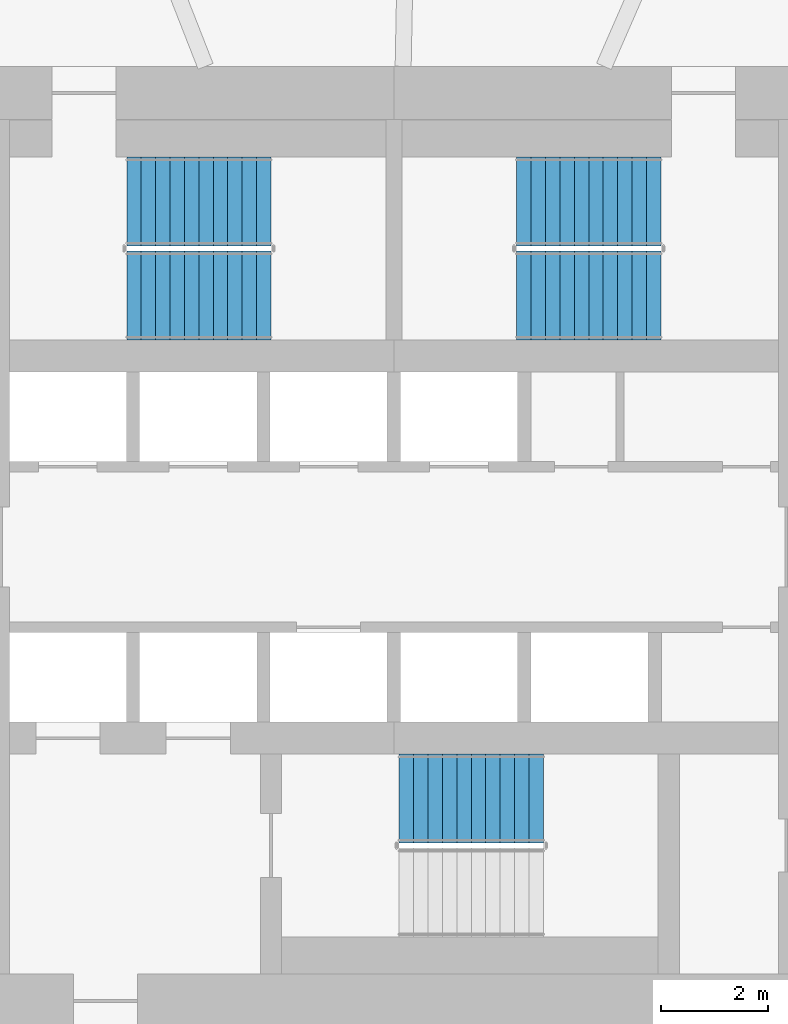
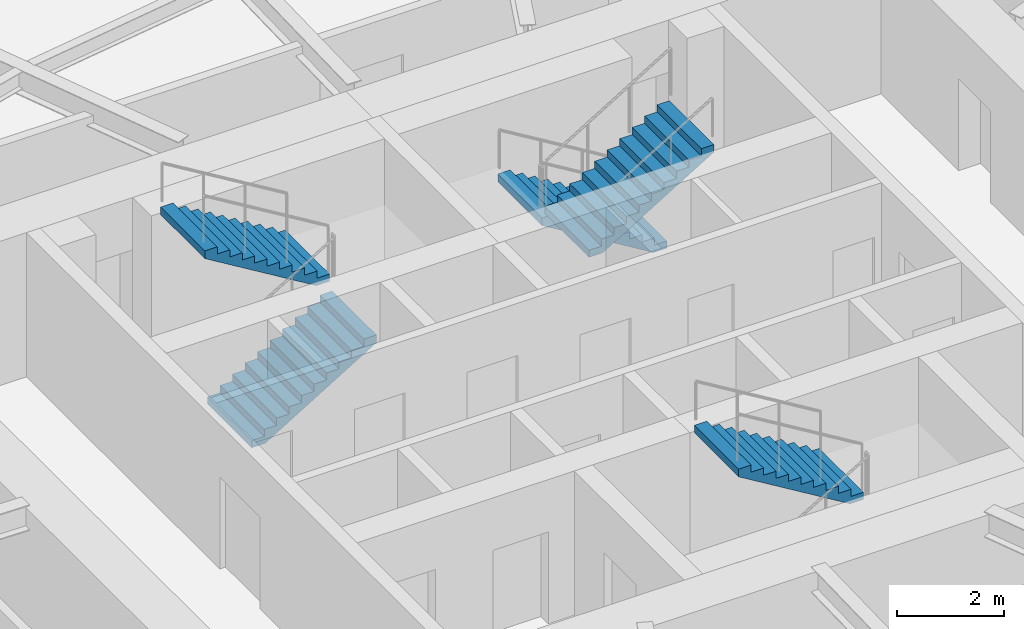
# One storey, part 11 of 14: 5 stair flights, 3 elements without a shape of their own.
"""IFC4 building model written with IfcOpenShell, lengths in metres."""

from ifc_helpers import new_model, si_unit, direction, frame, origin, place, context, subcontext, project, spatial, polyline, outline, extrude, material, type_object, element, aggregate, save


model = new_model("IFC4")

# Units and contexts
model_context = context("Model", 3, precision=1e-05, world=origin(), true_north=direction((0.0, 1.0)))
body_context = subcontext(model_context, "Body", "Model", "MODEL_VIEW")
ifc_project = project(units=[si_unit("LENGTHUNIT", "METRE"), si_unit("AREAUNIT", "SQUARE_METRE"), si_unit("VOLUMEUNIT", "CUBIC_METRE"), si_unit("PLANEANGLEUNIT", "RADIAN"), si_unit("MASSUNIT", "GRAM", prefix="KILO")], contexts=[model_context])

# Site, building, storey
site_placement = place(None, origin())
site = spatial("IfcSite", under=ifc_project, at=site_placement, CompositionType="ELEMENT")
building_placement = place(site_placement, origin())
building = spatial("IfcBuilding", under=site, at=building_placement, Name="Vermilion Reach Broadcast Tower", CompositionType="ELEMENT")
storey_placement = place(building_placement, frame((0.0, 0.0, 157.800048828125)))
storey = spatial("IfcBuildingStorey", under=building, at=storey_placement, Name="L37", CompositionType="ELEMENT", Elevation=157.800048828125)

# Stair, stair flights
ifc_material_1 = material(Name="Concrete C40", Category="concrete")
stair_type = type_object("IfcStairType", Name="Exit stair RC 22 risers 164 mm", PredefinedType="HALF_TURN_STAIR", material=ifc_material_1)
placement = place(storey_placement, origin())
stair_1 = element("IfcStair", 1, at=placement, inside=storey, type_object=stair_type, Name="L37 Exit stair ST1", PredefinedType="HALF_TURN_STAIR")
ifc_material_2 = material(Name="Concrete C40", Category="concrete")
stair_flight_type = type_object("IfcStairFlightType", Name="Exit stair flight RC 11 risers", PredefinedType="STRAIGHT", material=ifc_material_2)
stair_flight_1_placement = place(storey_placement, frame((-11.0, 4.7099609375, 0.0), z_axis=(0.0, 0.0, 1.0), x_axis=(1.0, 0.0, 0.0)))
stair_flight_1 = element("IfcStairFlight", 2, at=stair_flight_1_placement, type_object=stair_flight_type, Name="ST1 flight 1", NumberOfRisers=11, NumberOfTreads=10, PredefinedType="STRAIGHT", RiserHeight=0.163636364, TreadLength=0.27, context=body_context, shape_type="SweptSolid", body=[
    extrude(outline(polyline([(0.0, 0.0), (0.0, 0.16357421875), (0.27001953125, 0.16357421875), (0.27001953125, 0.327392578125), (0.5400390625, 0.327392578125), (0.5400390625, 0.490966796875), (0.81005859375, 0.490966796875), (0.81005859375, 0.654541015625), (1.080078125, 0.654541015625), (1.080078125, 0.818115234375), (1.35009765625, 0.818115234375), (1.35009765625, 0.98193359375), (1.6201171875, 0.98193359375), (1.6201171875, 1.1455078125), (1.889892578125, 1.1455078125), (1.889892578125, 1.30908203125), (2.159912109375, 1.30908203125), (2.159912109375, 1.47265625), (2.429931640625, 1.47265625), (2.429931640625, 1.636474609375), (2.699951171875, 1.636474609375), (2.699951171875, 1.800048828125), (2.699951171875, 1.461181640625), (0.289306640625, 0.0), (0.0, 0.0)])), frame((0.0, 0.830078125, 0.0), z_axis=(0.0, -1.0, 0.0), x_axis=(1.0, 0.0, 0.0)), (0.0, 0.0, 1.0), 1.659912109375),
])
stair_flight_2_placement = place(storey_placement, frame((-8.300048828125, 6.469970703125, 1.800048828125), z_axis=(0.0, 0.0, 1.0), x_axis=(-1.0, 0.0, 0.0)))
stair_flight_2 = element("IfcStairFlight", 3, at=stair_flight_2_placement, type_object=stair_flight_type, Name="ST1 flight 2", NumberOfRisers=11, NumberOfTreads=10, PredefinedType="STRAIGHT", RiserHeight=0.163636364, TreadLength=0.27, context=body_context, shape_type="SweptSolid", body=[
    extrude(outline(polyline([(0.0, 0.0), (0.0, 0.16357421875), (0.27001953125, 0.16357421875), (0.27001953125, 0.327392578125), (0.5400390625, 0.327392578125), (0.5400390625, 0.490966796875), (0.81005859375, 0.490966796875), (0.81005859375, 0.654541015625), (1.080078125, 0.654541015625), (1.080078125, 0.818115234375), (1.35009765625, 0.818115234375), (1.35009765625, 0.98193359375), (1.6201171875, 0.98193359375), (1.6201171875, 1.1455078125), (1.889892578125, 1.1455078125), (1.889892578125, 1.30908203125), (2.159912109375, 1.30908203125), (2.159912109375, 1.47265625), (2.429931640625, 1.47265625), (2.429931640625, 1.636474609375), (2.699951171875, 1.636474609375), (2.699951171875, 1.800048828125), (2.699951171875, 1.461181640625), (0.289306640625, 0.0), (0.0, 0.0)])), frame((0.0, 0.830078125, 0.0), z_axis=(0.0, -1.0, 0.0), x_axis=(1.0, 0.0, 0.0)), (0.0, 0.0, 1.0), 1.659912109375),
])
aggregate(stair_1, [stair_flight_1, stair_flight_2])

stair_2 = element("IfcStair", 4, at=placement, inside=storey, type_object=stair_type, Name="L37 Exit stair ST2", PredefinedType="HALF_TURN_STAIR")
stair_flight_3_placement = place(storey_placement, frame((-1.0, 6.469970703125, 0.0), z_axis=(0.0, 0.0, 1.0), x_axis=(-1.0, 0.0, 0.0)))
stair_flight_3 = element("IfcStairFlight", 5, at=stair_flight_3_placement, type_object=stair_flight_type, Name="ST2 flight 1", NumberOfRisers=11, NumberOfTreads=10, PredefinedType="STRAIGHT", RiserHeight=0.163636364, TreadLength=0.27, context=body_context, shape_type="SweptSolid", body=[
    extrude(outline(polyline([(0.0, 0.0), (0.0, 0.16357421875), (0.27001953125, 0.16357421875), (0.27001953125, 0.327392578125), (0.5400390625, 0.327392578125), (0.5400390625, 0.490966796875), (0.81005859375, 0.490966796875), (0.81005859375, 0.654541015625), (1.080078125, 0.654541015625), (1.080078125, 0.818115234375), (1.35009765625, 0.818115234375), (1.35009765625, 0.98193359375), (1.6201171875, 0.98193359375), (1.6201171875, 1.1455078125), (1.889892578125, 1.1455078125), (1.889892578125, 1.30908203125), (2.159912109375, 1.30908203125), (2.159912109375, 1.47265625), (2.429931640625, 1.47265625), (2.429931640625, 1.636474609375), (2.699951171875, 1.636474609375), (2.699951171875, 1.800048828125), (2.699951171875, 1.461181640625), (0.289306640625, 0.0), (0.0, 0.0)])), frame((0.0, 0.830078125, 0.0), z_axis=(0.0, -1.0, 0.0), x_axis=(1.0, 0.0, 0.0)), (0.0, 0.0, 1.0), 1.659912109375),
])
stair_flight_4_placement = place(storey_placement, frame((-3.699951171875, 4.7099609375, 1.800048828125), z_axis=(0.0, 0.0, 1.0), x_axis=(1.0, 0.0, 0.0)))
stair_flight_4 = element("IfcStairFlight", 6, at=stair_flight_4_placement, type_object=stair_flight_type, Name="ST2 flight 2", NumberOfRisers=11, NumberOfTreads=10, PredefinedType="STRAIGHT", RiserHeight=0.163636364, TreadLength=0.27, context=body_context, shape_type="SweptSolid", body=[
    extrude(outline(polyline([(0.0, 0.0), (0.0, 0.16357421875), (0.27001953125, 0.16357421875), (0.27001953125, 0.327392578125), (0.5400390625, 0.327392578125), (0.5400390625, 0.490966796875), (0.81005859375, 0.490966796875), (0.81005859375, 0.654541015625), (1.080078125, 0.654541015625), (1.080078125, 0.818115234375), (1.35009765625, 0.818115234375), (1.35009765625, 0.98193359375), (1.6201171875, 0.98193359375), (1.6201171875, 1.1455078125), (1.889892578125, 1.1455078125), (1.889892578125, 1.30908203125), (2.159912109375, 1.30908203125), (2.159912109375, 1.47265625), (2.429931640625, 1.47265625), (2.429931640625, 1.636474609375), (2.699951171875, 1.636474609375), (2.699951171875, 1.800048828125), (2.699951171875, 1.461181640625), (0.289306640625, 0.0), (0.0, 0.0)])), frame((0.0, 0.830078125, 0.0), z_axis=(0.0, -1.0, 0.0), x_axis=(1.0, 0.0, 0.0)), (0.0, 0.0, 1.0), 1.659912109375),
])
aggregate(stair_2, [stair_flight_3, stair_flight_4])

# Stair, stair flight
stair_3 = element("IfcStair", 7, at=placement, inside=storey, type_object=stair_type, Name="L37 Exit stair ST3", PredefinedType="HALF_TURN_STAIR")
stair_flight_5_placement = place(storey_placement, frame((-3.199951171875, -4.7099609375, 1.800048828125), z_axis=(0.0, 0.0, 1.0), x_axis=(-1.0, 0.0, 0.0)))
stair_flight_5 = element("IfcStairFlight", 8, at=stair_flight_5_placement, type_object=stair_flight_type, Name="ST3 flight 2", NumberOfRisers=11, NumberOfTreads=10, PredefinedType="STRAIGHT", RiserHeight=0.163636364, TreadLength=0.27, context=body_context, shape_type="SweptSolid", body=[
    extrude(outline(polyline([(0.0, 0.0), (0.0, 0.16357421875), (0.27001953125, 0.16357421875), (0.27001953125, 0.327392578125), (0.5400390625, 0.327392578125), (0.5400390625, 0.490966796875), (0.81005859375, 0.490966796875), (0.81005859375, 0.654541015625), (1.080078125, 0.654541015625), (1.080078125, 0.818115234375), (1.35009765625, 0.818115234375), (1.35009765625, 0.98193359375), (1.6201171875, 0.98193359375), (1.6201171875, 1.1455078125), (1.889892578125, 1.1455078125), (1.889892578125, 1.30908203125), (2.159912109375, 1.30908203125), (2.159912109375, 1.47265625), (2.429931640625, 1.47265625), (2.429931640625, 1.636474609375), (2.699951171875, 1.636474609375), (2.699951171875, 1.800048828125), (2.699951171875, 1.461181640625), (0.289306640625, 0.0), (0.0, 0.0)])), frame((0.0, 0.830078125, 0.0), z_axis=(0.0, -1.0, 0.0), x_axis=(1.0, 0.0, 0.0)), (0.0, 0.0, 1.0), 1.659912109375),
])
aggregate(stair_3, [stair_flight_5])

save(model, "model.ifc")
